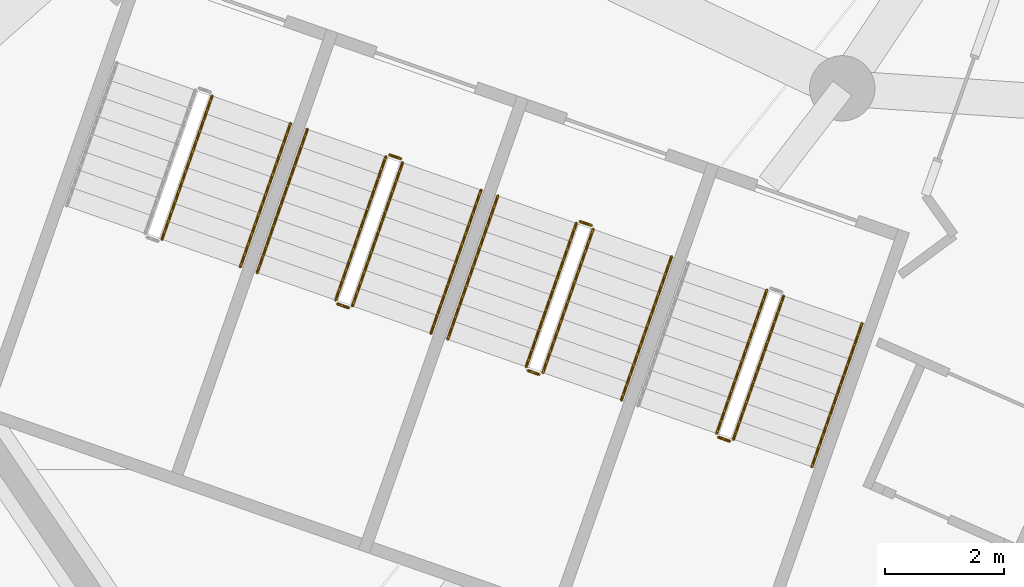
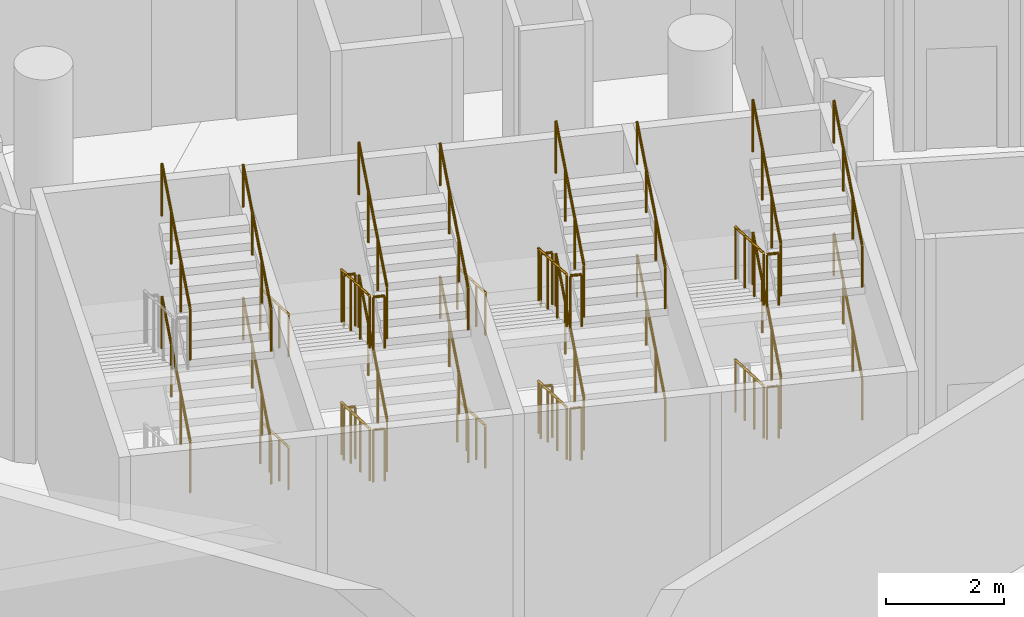
# One storey, part 222 of 271: 36 railings.
"""IFC4 building model written with IfcOpenShell, lengths in metres."""

from ifc_helpers import new_model, si_unit, direction, frame, origin, origin_2d, place, context, subcontext, project, spatial, circle, extrude, material, type_object, element, save


model = new_model("IFC4")

# Units and contexts
model_context = context("Model", 3, precision=1e-05, world=origin(), true_north=direction((0.0, 1.0)))
body_context = subcontext(model_context, "Body", "Model", "MODEL_VIEW")
ifc_project = project(units=[si_unit("LENGTHUNIT", "METRE"), si_unit("AREAUNIT", "SQUARE_METRE"), si_unit("VOLUMEUNIT", "CUBIC_METRE"), si_unit("PLANEANGLEUNIT", "RADIAN"), si_unit("MASSUNIT", "GRAM", prefix="KILO")], contexts=[model_context])

# Site, building, storey
site_placement = place(None, origin())
site = spatial("IfcSite", under=ifc_project, at=site_placement, CompositionType="ELEMENT")
building_placement = place(site_placement, origin())
building = spatial("IfcBuilding", under=site, at=building_placement, Name="Meseta Stadium", CompositionType="ELEMENT")
storey_placement = place(building_placement, frame((0.0, 0.0, 6.5)))
storey = spatial("IfcBuildingStorey", under=building, at=storey_placement, Name="L01", CompositionType="ELEMENT", Elevation=6.5)

# Railings
ifc_material_1 = material(Name="Steel S355", Category="steel")
railing_type_1 = type_object("IfcRailingType", Name="Stair guard 1100", PredefinedType="GUARDRAIL", material=ifc_material_1)
for number, where, name in (
    (1, (-65.98388671875, -92.12353515625, 1.52783203125), "ST85 L01 guard 3"),
    (2, (-65.98388671875, -92.12353515625, 4.27783203125), "ST85 L01 guard 7"),
):
    element("IfcRailing", number, at=place(storey_placement, frame(where)), inside=storey, type_object=railing_type_1, Name=name, PredefinedType="GUARDRAIL", context=body_context, shape_type="SweptSolid", body=[
        extrude(circle(Radius=0.02392578125, at=origin_2d()), frame((0.0, 0.0, 1.076171875), z_axis=(0.298044258026, 0.851788628844, 0.430843071233), x_axis=(-0.943886603116, 0.330269708658, 0.0)), (0.0, 0.0, 1.0), 2.836669921875),
        extrude(circle(Radius=0.02099609375, at=origin_2d()), origin(), (0.0, 0.0, 1.0), 1.052001953125),
        extrude(circle(Radius=0.02099609375, at=origin_2d()), frame((0.28173828125, 0.805419921875, 0.407470703125)), (0.0, 0.0, 1.0), 1.052001953125),
        extrude(circle(Radius=0.02099609375, at=origin_2d()), frame((0.563720703125, 1.61083984375, 0.814697265625)), (0.0, 0.0, 1.0), 1.052001953125),
        extrude(circle(Radius=0.02099609375, at=origin_2d()), frame((0.845458984375, 2.416259765625, 1.22216796875)), (0.0, 0.0, 1.0), 1.052001953125),
    ])
railing_1_placement = place(storey_placement, frame((-62.21240234375, -90.73095703125, 0.15283203125)))
element("IfcRailing", 3, at=railing_1_placement, inside=storey, type_object=railing_type_1, Name="ST86 L01 guard 1", PredefinedType="GUARDRAIL", context=body_context, shape_type="SweptSolid", body=[
    extrude(circle(Radius=0.02392578125, at=origin_2d()), frame((0.0, 0.0, 1.076171875), z_axis=(-0.298022409857, -0.851812247406, 0.430811488231), x_axis=(0.943897004595, -0.330239980492, 0.0)), (0.0, 0.0, 1.0), 2.8369140625),
    extrude(circle(Radius=0.02099609375, at=origin_2d()), origin(), (0.0, 0.0, 1.0), 1.052001953125),
    extrude(circle(Radius=0.02099609375, at=origin_2d()), frame((-0.28173828125, -0.805419921875, 0.407470703125)), (0.0, 0.0, 1.0), 1.052001953125),
    extrude(circle(Radius=0.02099609375, at=origin_2d()), frame((-0.563720703125, -1.611083984375, 0.814697265625)), (0.0, 0.0, 1.0), 1.052001953125),
    extrude(circle(Radius=0.02099609375, at=origin_2d()), frame((-0.845458984375, -2.41650390625, 1.22216796875)), (0.0, 0.0, 1.0), 1.052001953125),
])
railing_2_placement = place(storey_placement, frame((-63.02734375, -93.211181640625, 1.375)))
element("IfcRailing", 4, at=railing_2_placement, inside=storey, type_object=railing_type_1, Name="ST86 L01 guard 2", PredefinedType="GUARDRAIL", context=body_context, shape_type="SweptSolid", body=[
    extrude(circle(Radius=0.02392578125, at=origin_2d()), frame((0.0, 0.0, 1.076171875), z_axis=(0.944200181446, -0.329372156318, 0.0), x_axis=(0.329372156318, 0.944200181446, 0.0)), (0.0, 0.0, 1.0), 0.2001953125),
    extrude(circle(Radius=0.02099609375, at=origin_2d()), origin(), (0.0, 0.0, 1.0), 1.052001953125),
    extrude(circle(Radius=0.02099609375, at=origin_2d()), frame((0.18896484375, -0.06591796875, 0.0)), (0.0, 0.0, 1.0), 1.052001953125),
])
railing_3_placement = place(storey_placement, frame((-62.774658203125, -93.24658203125, 1.52783203125)))
element("IfcRailing", 5, at=railing_3_placement, inside=storey, type_object=railing_type_1, Name="ST86 L01 guard 3", PredefinedType="GUARDRAIL", context=body_context, shape_type="SweptSolid", body=[
    extrude(circle(Radius=0.02392578125, at=origin_2d()), frame((0.0, 0.0, 1.076171875), z_axis=(0.298022409857, 0.851812247406, 0.430811488231), x_axis=(-0.943897004595, 0.330239980492, 0.0)), (0.0, 0.0, 1.0), 2.8369140625),
    extrude(circle(Radius=0.02099609375, at=origin_2d()), origin(), (0.0, 0.0, 1.0), 1.052001953125),
    extrude(circle(Radius=0.02099609375, at=origin_2d()), frame((0.28173828125, 0.805419921875, 0.407470703125)), (0.0, 0.0, 1.0), 1.052001953125),
    extrude(circle(Radius=0.02099609375, at=origin_2d()), frame((0.563720703125, 1.611083984375, 0.814697265625)), (0.0, 0.0, 1.0), 1.052001953125),
    extrude(circle(Radius=0.02099609375, at=origin_2d()), frame((0.845458984375, 2.41650390625, 1.22216796875)), (0.0, 0.0, 1.0), 1.052001953125),
])
railing_4_placement = place(storey_placement, frame((-62.148681640625, -90.700439453125, 2.75)))
element("IfcRailing", 6, at=railing_4_placement, inside=storey, type_object=railing_type_1, Name="ST86 L01 guard 4", PredefinedType="GUARDRAIL", context=body_context, shape_type="SweptSolid", body=[
    extrude(circle(Radius=0.02392578125, at=origin_2d()), frame((0.0, 0.0, 1.076171875), z_axis=(0.944067610699, -0.329751946816, 0.0), x_axis=(0.329751946816, 0.944067610699, 0.0)), (0.0, 0.0, 1.0), 0.199951171875),
    extrude(circle(Radius=0.02099609375, at=origin_2d()), origin(), (0.0, 0.0, 1.0), 1.052001953125),
    extrude(circle(Radius=0.02099609375, at=origin_2d()), frame((0.188720703125, -0.06591796875, 0.0)), (0.0, 0.0, 1.0), 1.052001953125),
])
railing_5_placement = place(storey_placement, frame((-62.21240234375, -90.73095703125, 2.90283203125)))
element("IfcRailing", 7, at=railing_5_placement, inside=storey, type_object=railing_type_1, Name="ST86 L01 guard 5", PredefinedType="GUARDRAIL", context=body_context, shape_type="SweptSolid", body=[
    extrude(circle(Radius=0.02392578125, at=origin_2d()), frame((0.0, 0.0, 1.076171875), z_axis=(-0.298022409857, -0.851812247406, 0.430811488231), x_axis=(0.943897004595, -0.330239980492, 0.0)), (0.0, 0.0, 1.0), 2.8369140625),
    extrude(circle(Radius=0.02099609375, at=origin_2d()), origin(), (0.0, 0.0, 1.0), 1.052001953125),
    extrude(circle(Radius=0.02099609375, at=origin_2d()), frame((-0.28173828125, -0.805419921875, 0.407470703125)), (0.0, 0.0, 1.0), 1.052001953125),
    extrude(circle(Radius=0.02099609375, at=origin_2d()), frame((-0.563720703125, -1.611083984375, 0.814697265625)), (0.0, 0.0, 1.0), 1.052001953125),
    extrude(circle(Radius=0.02099609375, at=origin_2d()), frame((-0.845458984375, -2.41650390625, 1.22216796875)), (0.0, 0.0, 1.0), 1.052001953125),
])
railing_6_placement = place(storey_placement, frame((-63.02734375, -93.211181640625, 4.125)))
element("IfcRailing", 8, at=railing_6_placement, inside=storey, type_object=railing_type_1, Name="ST86 L01 guard 6", PredefinedType="GUARDRAIL", context=body_context, shape_type="SweptSolid", body=[
    extrude(circle(Radius=0.02392578125, at=origin_2d()), frame((0.0, 0.0, 1.076171875), z_axis=(0.944200181446, -0.329372156318, 0.0), x_axis=(0.329372156318, 0.944200181446, 0.0)), (0.0, 0.0, 1.0), 0.2001953125),
    extrude(circle(Radius=0.02099609375, at=origin_2d()), origin(), (0.0, 0.0, 1.0), 1.052001953125),
    extrude(circle(Radius=0.02099609375, at=origin_2d()), frame((0.18896484375, -0.06591796875, 0.0)), (0.0, 0.0, 1.0), 1.052001953125),
])
railing_7_placement = place(storey_placement, frame((-62.774658203125, -93.24658203125, 4.27783203125)))
element("IfcRailing", 9, at=railing_7_placement, inside=storey, type_object=railing_type_1, Name="ST86 L01 guard 7", PredefinedType="GUARDRAIL", context=body_context, shape_type="SweptSolid", body=[
    extrude(circle(Radius=0.02392578125, at=origin_2d()), frame((0.0, 0.0, 1.076171875), z_axis=(0.298022409857, 0.851812247406, 0.430811488231), x_axis=(-0.943897004595, 0.330239980492, 0.0)), (0.0, 0.0, 1.0), 2.8369140625),
    extrude(circle(Radius=0.02099609375, at=origin_2d()), origin(), (0.0, 0.0, 1.0), 1.052001953125),
    extrude(circle(Radius=0.02099609375, at=origin_2d()), frame((0.28173828125, 0.805419921875, 0.407470703125)), (0.0, 0.0, 1.0), 1.052001953125),
    extrude(circle(Radius=0.02099609375, at=origin_2d()), frame((0.563720703125, 1.611083984375, 0.814697265625)), (0.0, 0.0, 1.0), 1.052001953125),
    extrude(circle(Radius=0.02099609375, at=origin_2d()), frame((0.845458984375, 2.41650390625, 1.22216796875)), (0.0, 0.0, 1.0), 1.052001953125),
])
railing_8_placement = place(storey_placement, frame((-62.148681640625, -90.700439453125, 0.0)))
element("IfcRailing", 10, at=railing_8_placement, inside=storey, type_object=railing_type_1, Name="ST86 L01 guard 8", PredefinedType="GUARDRAIL", context=body_context, shape_type="SweptSolid", body=[
    extrude(circle(Radius=0.02392578125, at=origin_2d()), frame((0.0, 0.0, 1.076171875), z_axis=(0.944067610699, -0.329751946816, 0.0), x_axis=(0.329751946816, 0.944067610699, 0.0)), (0.0, 0.0, 1.0), 0.199951171875),
    extrude(circle(Radius=0.02099609375, at=origin_2d()), origin(), (0.0, 0.0, 1.0), 1.052001953125),
    extrude(circle(Radius=0.02099609375, at=origin_2d()), frame((0.188720703125, -0.06591796875, 0.0)), (0.0, 0.0, 1.0), 1.052001953125),
])
railing_9_placement = place(storey_placement, frame((-59.003173828125, -91.85400390625, 0.15283203125)))
element("IfcRailing", 11, at=railing_9_placement, inside=storey, type_object=railing_type_1, Name="ST87 L01 guard 1", PredefinedType="GUARDRAIL", context=body_context, shape_type="SweptSolid", body=[
    extrude(circle(Radius=0.02392578125, at=origin_2d()), frame((0.0, 0.0, 1.076171875), z_axis=(-0.298044258026, -0.851788628844, 0.430843071233), x_axis=(0.943886603116, -0.330269708658, 0.0)), (0.0, 0.0, 1.0), 2.836669921875),
    extrude(circle(Radius=0.02099609375, at=origin_2d()), origin(), (0.0, 0.0, 1.0), 1.052001953125),
    extrude(circle(Radius=0.02099609375, at=origin_2d()), frame((-0.28173828125, -0.805419921875, 0.407470703125)), (0.0, 0.0, 1.0), 1.052001953125),
    extrude(circle(Radius=0.02099609375, at=origin_2d()), frame((-0.563720703125, -1.61083984375, 0.814697265625)), (0.0, 0.0, 1.0), 1.052001953125),
    extrude(circle(Radius=0.02099609375, at=origin_2d()), frame((-0.845458984375, -2.416259765625, 1.22216796875)), (0.0, 0.0, 1.0), 1.052001953125),
])
railing_10_placement = place(storey_placement, frame((-59.818115234375, -94.333984375, 1.375)))
element("IfcRailing", 12, at=railing_10_placement, inside=storey, type_object=railing_type_1, Name="ST87 L01 guard 2", PredefinedType="GUARDRAIL", context=body_context, shape_type="SweptSolid", body=[
    extrude(circle(Radius=0.02392578125, at=origin_2d()), frame((0.0, 0.0, 1.076171875), z_axis=(0.943820328543, -0.330459055601, 0.0), x_axis=(0.330459055601, 0.943820328543, 0.0)), (0.0, 0.0, 1.0), 0.2001953125),
    extrude(circle(Radius=0.02099609375, at=origin_2d()), origin(), (0.0, 0.0, 1.0), 1.052001953125),
    extrude(circle(Radius=0.02099609375, at=origin_2d()), frame((0.18896484375, -0.066162109375, 0.0)), (0.0, 0.0, 1.0), 1.052001953125),
])
railing_11_placement = place(storey_placement, frame((-59.565673828125, -94.369384765625, 1.52783203125)))
element("IfcRailing", 13, at=railing_11_placement, inside=storey, type_object=railing_type_1, Name="ST87 L01 guard 3", PredefinedType="GUARDRAIL", context=body_context, shape_type="SweptSolid", body=[
    extrude(circle(Radius=0.02392578125, at=origin_2d()), frame((0.0, 0.0, 1.076171875), z_axis=(0.298122675128, 0.851766777062, 0.430832018387), x_axis=(-0.943856869551, 0.330354672742, 0.0)), (0.0, 0.0, 1.0), 2.836669921875),
    extrude(circle(Radius=0.02099609375, at=origin_2d()), origin(), (0.0, 0.0, 1.0), 1.052001953125),
    extrude(circle(Radius=0.02099609375, at=origin_2d()), frame((0.281982421875, 0.805419921875, 0.407470703125)), (0.0, 0.0, 1.0), 1.052001953125),
    extrude(circle(Radius=0.02099609375, at=origin_2d()), frame((0.563720703125, 1.61083984375, 0.814697265625)), (0.0, 0.0, 1.0), 1.052001953125),
    extrude(circle(Radius=0.02099609375, at=origin_2d()), frame((0.845703125, 2.416259765625, 1.22216796875)), (0.0, 0.0, 1.0), 1.052001953125),
])
railing_12_placement = place(storey_placement, frame((-58.939453125, -91.8232421875, 2.75)))
element("IfcRailing", 14, at=railing_12_placement, inside=storey, type_object=railing_type_1, Name="ST87 L01 guard 4", PredefinedType="GUARDRAIL", context=body_context, shape_type="SweptSolid", body=[
    extrude(circle(Radius=0.02392578125, at=origin_2d()), frame((0.0, 0.0, 1.076171875), z_axis=(0.943686935281, -0.330839792317, 0.0), x_axis=(0.330839792317, 0.943686935281, 0.0)), (0.0, 0.0, 1.0), 0.199951171875),
    extrude(circle(Radius=0.02099609375, at=origin_2d()), origin(), (0.0, 0.0, 1.0), 1.052001953125),
    extrude(circle(Radius=0.02099609375, at=origin_2d()), frame((0.188720703125, -0.066162109375, 0.0)), (0.0, 0.0, 1.0), 1.052001953125),
])
railing_13_placement = place(storey_placement, frame((-59.003173828125, -91.85400390625, 2.90283203125)))
element("IfcRailing", 15, at=railing_13_placement, inside=storey, type_object=railing_type_1, Name="ST87 L01 guard 5", PredefinedType="GUARDRAIL", context=body_context, shape_type="SweptSolid", body=[
    extrude(circle(Radius=0.02392578125, at=origin_2d()), frame((0.0, 0.0, 1.076171875), z_axis=(-0.298044258026, -0.851788628844, 0.430843071233), x_axis=(0.943886603116, -0.330269708658, 0.0)), (0.0, 0.0, 1.0), 2.836669921875),
    extrude(circle(Radius=0.02099609375, at=origin_2d()), origin(), (0.0, 0.0, 1.0), 1.052001953125),
    extrude(circle(Radius=0.02099609375, at=origin_2d()), frame((-0.28173828125, -0.805419921875, 0.407470703125)), (0.0, 0.0, 1.0), 1.052001953125),
    extrude(circle(Radius=0.02099609375, at=origin_2d()), frame((-0.563720703125, -1.61083984375, 0.814697265625)), (0.0, 0.0, 1.0), 1.052001953125),
    extrude(circle(Radius=0.02099609375, at=origin_2d()), frame((-0.845458984375, -2.416259765625, 1.22216796875)), (0.0, 0.0, 1.0), 1.052001953125),
])
railing_14_placement = place(storey_placement, frame((-59.818115234375, -94.333984375, 4.125)))
element("IfcRailing", 16, at=railing_14_placement, inside=storey, type_object=railing_type_1, Name="ST87 L01 guard 6", PredefinedType="GUARDRAIL", context=body_context, shape_type="SweptSolid", body=[
    extrude(circle(Radius=0.02392578125, at=origin_2d()), frame((0.0, 0.0, 1.076171875), z_axis=(0.943820328543, -0.330459055601, 0.0), x_axis=(0.330459055601, 0.943820328543, 0.0)), (0.0, 0.0, 1.0), 0.2001953125),
    extrude(circle(Radius=0.02099609375, at=origin_2d()), origin(), (0.0, 0.0, 1.0), 1.052001953125),
    extrude(circle(Radius=0.02099609375, at=origin_2d()), frame((0.18896484375, -0.066162109375, 0.0)), (0.0, 0.0, 1.0), 1.052001953125),
])
railing_15_placement = place(storey_placement, frame((-59.565673828125, -94.369384765625, 4.27783203125)))
element("IfcRailing", 17, at=railing_15_placement, inside=storey, type_object=railing_type_1, Name="ST87 L01 guard 7", PredefinedType="GUARDRAIL", context=body_context, shape_type="SweptSolid", body=[
    extrude(circle(Radius=0.02392578125, at=origin_2d()), frame((0.0, 0.0, 1.076171875), z_axis=(0.298122675128, 0.851766777062, 0.430832018387), x_axis=(-0.943856869551, 0.330354672742, 0.0)), (0.0, 0.0, 1.0), 2.836669921875),
    extrude(circle(Radius=0.02099609375, at=origin_2d()), origin(), (0.0, 0.0, 1.0), 1.052001953125),
    extrude(circle(Radius=0.02099609375, at=origin_2d()), frame((0.281982421875, 0.805419921875, 0.407470703125)), (0.0, 0.0, 1.0), 1.052001953125),
    extrude(circle(Radius=0.02099609375, at=origin_2d()), frame((0.563720703125, 1.61083984375, 0.814697265625)), (0.0, 0.0, 1.0), 1.052001953125),
    extrude(circle(Radius=0.02099609375, at=origin_2d()), frame((0.845703125, 2.416259765625, 1.22216796875)), (0.0, 0.0, 1.0), 1.052001953125),
])
railing_16_placement = place(storey_placement, frame((-58.939453125, -91.8232421875, 0.0)))
element("IfcRailing", 18, at=railing_16_placement, inside=storey, type_object=railing_type_1, Name="ST87 L01 guard 8", PredefinedType="GUARDRAIL", context=body_context, shape_type="SweptSolid", body=[
    extrude(circle(Radius=0.02392578125, at=origin_2d()), frame((0.0, 0.0, 1.076171875), z_axis=(0.943686935281, -0.330839792317, 0.0), x_axis=(0.330839792317, 0.943686935281, 0.0)), (0.0, 0.0, 1.0), 0.199951171875),
    extrude(circle(Radius=0.02099609375, at=origin_2d()), origin(), (0.0, 0.0, 1.0), 1.052001953125),
    extrude(circle(Radius=0.02099609375, at=origin_2d()), frame((0.188720703125, -0.066162109375, 0.0)), (0.0, 0.0, 1.0), 1.052001953125),
])
railing_17_placement = place(storey_placement, frame((-55.7939453125, -92.97705078125, 0.15283203125)))
element("IfcRailing", 19, at=railing_17_placement, inside=storey, type_object=railing_type_1, Name="ST88 L01 guard 1", PredefinedType="GUARDRAIL", context=body_context, shape_type="SweptSolid", body=[
    extrude(circle(Radius=0.02392578125, at=origin_2d()), frame((0.0, 0.0, 1.076171875), z_axis=(-0.298044258026, -0.851788628844, 0.430843071233), x_axis=(0.943886603116, -0.330269708658, 0.0)), (0.0, 0.0, 1.0), 2.836669921875),
    extrude(circle(Radius=0.02099609375, at=origin_2d()), origin(), (0.0, 0.0, 1.0), 1.052001953125),
    extrude(circle(Radius=0.02099609375, at=origin_2d()), frame((-0.28173828125, -0.805419921875, 0.407470703125)), (0.0, 0.0, 1.0), 1.052001953125),
    extrude(circle(Radius=0.02099609375, at=origin_2d()), frame((-0.563720703125, -1.61083984375, 0.814697265625)), (0.0, 0.0, 1.0), 1.052001953125),
    extrude(circle(Radius=0.02099609375, at=origin_2d()), frame((-0.845458984375, -2.416259765625, 1.22216796875)), (0.0, 0.0, 1.0), 1.052001953125),
])
railing_18_placement = place(storey_placement, frame((-56.60888671875, -95.45703125, 1.375)))
element("IfcRailing", 20, at=railing_18_placement, inside=storey, type_object=railing_type_1, Name="ST88 L01 guard 2", PredefinedType="GUARDRAIL", context=body_context, shape_type="SweptSolid", body=[
    extrude(circle(Radius=0.02392578125, at=origin_2d()), frame((0.0, 0.0, 1.076171875), z_axis=(0.943686935281, -0.330839792317, 0.0), x_axis=(0.330839792317, 0.943686935281, 0.0)), (0.0, 0.0, 1.0), 0.199951171875),
    extrude(circle(Radius=0.02099609375, at=origin_2d()), origin(), (0.0, 0.0, 1.0), 1.052001953125),
    extrude(circle(Radius=0.02099609375, at=origin_2d()), frame((0.188720703125, -0.066162109375, 0.0)), (0.0, 0.0, 1.0), 1.052001953125),
])
railing_19_placement = place(storey_placement, frame((-56.3564453125, -95.492431640625, 1.52783203125)))
element("IfcRailing", 21, at=railing_19_placement, inside=storey, type_object=railing_type_1, Name="ST88 L01 guard 3", PredefinedType="GUARDRAIL", context=body_context, shape_type="SweptSolid", body=[
    extrude(circle(Radius=0.02392578125, at=origin_2d()), frame((0.0, 0.0, 1.076171875), z_axis=(0.298122675128, 0.851766777062, 0.430832018387), x_axis=(-0.943856869551, 0.330354672742, 0.0)), (0.0, 0.0, 1.0), 2.836669921875),
    extrude(circle(Radius=0.02099609375, at=origin_2d()), origin(), (0.0, 0.0, 1.0), 1.052001953125),
    extrude(circle(Radius=0.02099609375, at=origin_2d()), frame((0.281982421875, 0.805419921875, 0.407470703125)), (0.0, 0.0, 1.0), 1.052001953125),
    extrude(circle(Radius=0.02099609375, at=origin_2d()), frame((0.563720703125, 1.61083984375, 0.814697265625)), (0.0, 0.0, 1.0), 1.052001953125),
    extrude(circle(Radius=0.02099609375, at=origin_2d()), frame((0.845703125, 2.416259765625, 1.22216796875)), (0.0, 0.0, 1.0), 1.052001953125),
])
railing_20_placement = place(storey_placement, frame((-55.7939453125, -92.97705078125, 2.90283203125)))
element("IfcRailing", 22, at=railing_20_placement, inside=storey, type_object=railing_type_1, Name="ST88 L01 guard 5", PredefinedType="GUARDRAIL", context=body_context, shape_type="SweptSolid", body=[
    extrude(circle(Radius=0.02392578125, at=origin_2d()), frame((0.0, 0.0, 1.076171875), z_axis=(-0.298044258026, -0.851788628844, 0.430843071233), x_axis=(0.943886603116, -0.330269708658, 0.0)), (0.0, 0.0, 1.0), 2.836669921875),
    extrude(circle(Radius=0.02099609375, at=origin_2d()), origin(), (0.0, 0.0, 1.0), 1.052001953125),
    extrude(circle(Radius=0.02099609375, at=origin_2d()), frame((-0.28173828125, -0.805419921875, 0.407470703125)), (0.0, 0.0, 1.0), 1.052001953125),
    extrude(circle(Radius=0.02099609375, at=origin_2d()), frame((-0.563720703125, -1.61083984375, 0.814697265625)), (0.0, 0.0, 1.0), 1.052001953125),
    extrude(circle(Radius=0.02099609375, at=origin_2d()), frame((-0.845458984375, -2.416259765625, 1.22216796875)), (0.0, 0.0, 1.0), 1.052001953125),
])
railing_21_placement = place(storey_placement, frame((-56.60888671875, -95.45703125, 4.125)))
element("IfcRailing", 23, at=railing_21_placement, inside=storey, type_object=railing_type_1, Name="ST88 L01 guard 6", PredefinedType="GUARDRAIL", context=body_context, shape_type="SweptSolid", body=[
    extrude(circle(Radius=0.02392578125, at=origin_2d()), frame((0.0, 0.0, 1.076171875), z_axis=(0.943686935281, -0.330839792317, 0.0), x_axis=(0.330839792317, 0.943686935281, 0.0)), (0.0, 0.0, 1.0), 0.199951171875),
    extrude(circle(Radius=0.02099609375, at=origin_2d()), origin(), (0.0, 0.0, 1.0), 1.052001953125),
    extrude(circle(Radius=0.02099609375, at=origin_2d()), frame((0.188720703125, -0.066162109375, 0.0)), (0.0, 0.0, 1.0), 1.052001953125),
])
railing_22_placement = place(storey_placement, frame((-56.3564453125, -95.492431640625, 4.27783203125)))
element("IfcRailing", 24, at=railing_22_placement, inside=storey, type_object=railing_type_1, Name="ST88 L01 guard 7", PredefinedType="GUARDRAIL", context=body_context, shape_type="SweptSolid", body=[
    extrude(circle(Radius=0.02392578125, at=origin_2d()), frame((0.0, 0.0, 1.076171875), z_axis=(0.298122675128, 0.851766777062, 0.430832018387), x_axis=(-0.943856869551, 0.330354672742, 0.0)), (0.0, 0.0, 1.0), 2.836669921875),
    extrude(circle(Radius=0.02099609375, at=origin_2d()), origin(), (0.0, 0.0, 1.0), 1.052001953125),
    extrude(circle(Radius=0.02099609375, at=origin_2d()), frame((0.281982421875, 0.805419921875, 0.407470703125)), (0.0, 0.0, 1.0), 1.052001953125),
    extrude(circle(Radius=0.02099609375, at=origin_2d()), frame((0.563720703125, 1.61083984375, 0.814697265625)), (0.0, 0.0, 1.0), 1.052001953125),
    extrude(circle(Radius=0.02099609375, at=origin_2d()), frame((0.845703125, 2.416259765625, 1.22216796875)), (0.0, 0.0, 1.0), 1.052001953125),
])
ifc_material_2 = material(Name="Steel S355", Category="steel")
railing_type_2 = type_object("IfcRailingType", Name="Stair handrail 900", PredefinedType="HANDRAIL", material=ifc_material_2)
for number, where, name in (
    (25, (-64.66259765625, -92.5859375, 1.52783203125), "ST85 L01 handrail 2"),
    (26, (-64.66259765625, -92.5859375, 4.27783203125), "ST85 L01 handrail 4"),
):
    element("IfcRailing", number, at=place(storey_placement, frame(where)), inside=storey, type_object=railing_type_2, Name=name, PredefinedType="HANDRAIL", context=body_context, shape_type="SweptSolid", body=[
        extrude(circle(Radius=0.02392578125, at=origin_2d()), frame((0.0, 0.0, 0.8759765625), z_axis=(0.298122675128, 0.851766777062, 0.430832018387), x_axis=(-0.943856869551, 0.330354672742, 0.0)), (0.0, 0.0, 1.0), 2.836669921875),
        extrude(circle(Radius=0.02099609375, at=origin_2d()), origin(), (0.0, 0.0, 1.0), 0.851806640625),
        extrude(circle(Radius=0.02099609375, at=origin_2d()), frame((0.281982421875, 0.805419921875, 0.407470703125)), (0.0, 0.0, 1.0), 0.851806640625),
        extrude(circle(Radius=0.02099609375, at=origin_2d()), frame((0.563720703125, 1.61083984375, 0.814697265625)), (0.0, 0.0, 1.0), 0.851806640625),
        extrude(circle(Radius=0.02099609375, at=origin_2d()), frame((0.845703125, 2.416259765625, 1.22216796875)), (0.0, 0.0, 1.0), 0.851806640625),
    ])
railing_23_placement = place(storey_placement, frame((-63.533935546875, -90.268798828125, 0.15283203125)))
element("IfcRailing", 27, at=railing_23_placement, inside=storey, type_object=railing_type_2, Name="ST86 L01 handrail 1", PredefinedType="HANDRAIL", context=body_context, shape_type="SweptSolid", body=[
    extrude(circle(Radius=0.02392578125, at=origin_2d()), frame((0.0, 0.0, 0.8759765625), z_axis=(-0.298044258026, -0.851788628844, 0.430843071233), x_axis=(0.943886603116, -0.330269708658, 0.0)), (0.0, 0.0, 1.0), 2.836669921875),
    extrude(circle(Radius=0.02099609375, at=origin_2d()), origin(), (0.0, 0.0, 1.0), 0.851806640625),
    extrude(circle(Radius=0.02099609375, at=origin_2d()), frame((-0.28173828125, -0.805419921875, 0.407470703125)), (0.0, 0.0, 1.0), 0.851806640625),
    extrude(circle(Radius=0.02099609375, at=origin_2d()), frame((-0.563720703125, -1.61083984375, 0.814697265625)), (0.0, 0.0, 1.0), 0.851806640625),
    extrude(circle(Radius=0.02099609375, at=origin_2d()), frame((-0.845458984375, -2.416259765625, 1.22216796875)), (0.0, 0.0, 1.0), 0.851806640625),
])
railing_24_placement = place(storey_placement, frame((-61.453369140625, -93.708984375, 1.52783203125)))
element("IfcRailing", 28, at=railing_24_placement, inside=storey, type_object=railing_type_2, Name="ST86 L01 handrail 2", PredefinedType="HANDRAIL", context=body_context, shape_type="SweptSolid", body=[
    extrude(circle(Radius=0.02392578125, at=origin_2d()), frame((0.0, 0.0, 0.8759765625), z_axis=(0.298022409857, 0.851812247406, 0.430811488231), x_axis=(-0.943897004595, 0.330239980492, 0.0)), (0.0, 0.0, 1.0), 2.8369140625),
    extrude(circle(Radius=0.02099609375, at=origin_2d()), origin(), (0.0, 0.0, 1.0), 0.851806640625),
    extrude(circle(Radius=0.02099609375, at=origin_2d()), frame((0.28173828125, 0.805419921875, 0.407470703125)), (0.0, 0.0, 1.0), 0.851806640625),
    extrude(circle(Radius=0.02099609375, at=origin_2d()), frame((0.563720703125, 1.611083984375, 0.814697265625)), (0.0, 0.0, 1.0), 0.851806640625),
    extrude(circle(Radius=0.02099609375, at=origin_2d()), frame((0.845458984375, 2.41650390625, 1.22216796875)), (0.0, 0.0, 1.0), 0.851806640625),
])
railing_25_placement = place(storey_placement, frame((-63.533935546875, -90.268798828125, 2.90283203125)))
element("IfcRailing", 29, at=railing_25_placement, inside=storey, type_object=railing_type_2, Name="ST86 L01 handrail 3", PredefinedType="HANDRAIL", context=body_context, shape_type="SweptSolid", body=[
    extrude(circle(Radius=0.02392578125, at=origin_2d()), frame((0.0, 0.0, 0.8759765625), z_axis=(-0.298044258026, -0.851788628844, 0.430843071233), x_axis=(0.943886603116, -0.330269708658, 0.0)), (0.0, 0.0, 1.0), 2.836669921875),
    extrude(circle(Radius=0.02099609375, at=origin_2d()), origin(), (0.0, 0.0, 1.0), 0.851806640625),
    extrude(circle(Radius=0.02099609375, at=origin_2d()), frame((-0.28173828125, -0.805419921875, 0.407470703125)), (0.0, 0.0, 1.0), 0.851806640625),
    extrude(circle(Radius=0.02099609375, at=origin_2d()), frame((-0.563720703125, -1.61083984375, 0.814697265625)), (0.0, 0.0, 1.0), 0.851806640625),
    extrude(circle(Radius=0.02099609375, at=origin_2d()), frame((-0.845458984375, -2.416259765625, 1.22216796875)), (0.0, 0.0, 1.0), 0.851806640625),
])
railing_26_placement = place(storey_placement, frame((-61.453369140625, -93.708984375, 4.27783203125)))
element("IfcRailing", 30, at=railing_26_placement, inside=storey, type_object=railing_type_2, Name="ST86 L01 handrail 4", PredefinedType="HANDRAIL", context=body_context, shape_type="SweptSolid", body=[
    extrude(circle(Radius=0.02392578125, at=origin_2d()), frame((0.0, 0.0, 0.8759765625), z_axis=(0.298022409857, 0.851812247406, 0.430811488231), x_axis=(-0.943897004595, 0.330239980492, 0.0)), (0.0, 0.0, 1.0), 2.8369140625),
    extrude(circle(Radius=0.02099609375, at=origin_2d()), origin(), (0.0, 0.0, 1.0), 0.851806640625),
    extrude(circle(Radius=0.02099609375, at=origin_2d()), frame((0.28173828125, 0.805419921875, 0.407470703125)), (0.0, 0.0, 1.0), 0.851806640625),
    extrude(circle(Radius=0.02099609375, at=origin_2d()), frame((0.563720703125, 1.611083984375, 0.814697265625)), (0.0, 0.0, 1.0), 0.851806640625),
    extrude(circle(Radius=0.02099609375, at=origin_2d()), frame((0.845458984375, 2.41650390625, 1.22216796875)), (0.0, 0.0, 1.0), 0.851806640625),
])
railing_27_placement = place(storey_placement, frame((-60.32470703125, -91.3916015625, 0.15283203125)))
element("IfcRailing", 31, at=railing_27_placement, inside=storey, type_object=railing_type_2, Name="ST87 L01 handrail 1", PredefinedType="HANDRAIL", context=body_context, shape_type="SweptSolid", body=[
    extrude(circle(Radius=0.02392578125, at=origin_2d()), frame((0.0, 0.0, 0.8759765625), z_axis=(-0.298044258026, -0.851788628844, 0.430843071233), x_axis=(0.943886603116, -0.330269708658, 0.0)), (0.0, 0.0, 1.0), 2.836669921875),
    extrude(circle(Radius=0.02099609375, at=origin_2d()), origin(), (0.0, 0.0, 1.0), 0.851806640625),
    extrude(circle(Radius=0.02099609375, at=origin_2d()), frame((-0.28173828125, -0.805419921875, 0.407470703125)), (0.0, 0.0, 1.0), 0.851806640625),
    extrude(circle(Radius=0.02099609375, at=origin_2d()), frame((-0.563720703125, -1.61083984375, 0.814697265625)), (0.0, 0.0, 1.0), 0.851806640625),
    extrude(circle(Radius=0.02099609375, at=origin_2d()), frame((-0.845458984375, -2.416259765625, 1.22216796875)), (0.0, 0.0, 1.0), 0.851806640625),
])
railing_28_placement = place(storey_placement, frame((-58.244140625, -94.831787109375, 1.52783203125)))
element("IfcRailing", 32, at=railing_28_placement, inside=storey, type_object=railing_type_2, Name="ST87 L01 handrail 2", PredefinedType="HANDRAIL", context=body_context, shape_type="SweptSolid", body=[
    extrude(circle(Radius=0.02392578125, at=origin_2d()), frame((0.0, 0.0, 0.8759765625), z_axis=(0.298044258026, 0.851788628844, 0.430843071233), x_axis=(-0.943886603116, 0.330269708658, 0.0)), (0.0, 0.0, 1.0), 2.836669921875),
    extrude(circle(Radius=0.02099609375, at=origin_2d()), origin(), (0.0, 0.0, 1.0), 0.851806640625),
    extrude(circle(Radius=0.02099609375, at=origin_2d()), frame((0.28173828125, 0.805419921875, 0.407470703125)), (0.0, 0.0, 1.0), 0.851806640625),
    extrude(circle(Radius=0.02099609375, at=origin_2d()), frame((0.563720703125, 1.61083984375, 0.814697265625)), (0.0, 0.0, 1.0), 0.851806640625),
    extrude(circle(Radius=0.02099609375, at=origin_2d()), frame((0.845458984375, 2.416259765625, 1.22216796875)), (0.0, 0.0, 1.0), 0.851806640625),
])
railing_29_placement = place(storey_placement, frame((-60.32470703125, -91.3916015625, 2.90283203125)))
element("IfcRailing", 33, at=railing_29_placement, inside=storey, type_object=railing_type_2, Name="ST87 L01 handrail 3", PredefinedType="HANDRAIL", context=body_context, shape_type="SweptSolid", body=[
    extrude(circle(Radius=0.02392578125, at=origin_2d()), frame((0.0, 0.0, 0.8759765625), z_axis=(-0.298044258026, -0.851788628844, 0.430843071233), x_axis=(0.943886603116, -0.330269708658, 0.0)), (0.0, 0.0, 1.0), 2.836669921875),
    extrude(circle(Radius=0.02099609375, at=origin_2d()), origin(), (0.0, 0.0, 1.0), 0.851806640625),
    extrude(circle(Radius=0.02099609375, at=origin_2d()), frame((-0.28173828125, -0.805419921875, 0.407470703125)), (0.0, 0.0, 1.0), 0.851806640625),
    extrude(circle(Radius=0.02099609375, at=origin_2d()), frame((-0.563720703125, -1.61083984375, 0.814697265625)), (0.0, 0.0, 1.0), 0.851806640625),
    extrude(circle(Radius=0.02099609375, at=origin_2d()), frame((-0.845458984375, -2.416259765625, 1.22216796875)), (0.0, 0.0, 1.0), 0.851806640625),
])
railing_30_placement = place(storey_placement, frame((-58.244140625, -94.831787109375, 4.27783203125)))
element("IfcRailing", 34, at=railing_30_placement, inside=storey, type_object=railing_type_2, Name="ST87 L01 handrail 4", PredefinedType="HANDRAIL", context=body_context, shape_type="SweptSolid", body=[
    extrude(circle(Radius=0.02392578125, at=origin_2d()), frame((0.0, 0.0, 0.8759765625), z_axis=(0.298044258026, 0.851788628844, 0.430843071233), x_axis=(-0.943886603116, 0.330269708658, 0.0)), (0.0, 0.0, 1.0), 2.836669921875),
    extrude(circle(Radius=0.02099609375, at=origin_2d()), origin(), (0.0, 0.0, 1.0), 0.851806640625),
    extrude(circle(Radius=0.02099609375, at=origin_2d()), frame((0.28173828125, 0.805419921875, 0.407470703125)), (0.0, 0.0, 1.0), 0.851806640625),
    extrude(circle(Radius=0.02099609375, at=origin_2d()), frame((0.563720703125, 1.61083984375, 0.814697265625)), (0.0, 0.0, 1.0), 0.851806640625),
    extrude(circle(Radius=0.02099609375, at=origin_2d()), frame((0.845458984375, 2.416259765625, 1.22216796875)), (0.0, 0.0, 1.0), 0.851806640625),
])
for number, where, name in (
    (35, (-55.034912109375, -95.954833984375, 1.52783203125), "ST88 L01 handrail 2"),
    (36, (-55.034912109375, -95.954833984375, 4.27783203125), "ST88 L01 handrail 4"),
):
    element("IfcRailing", number, at=place(storey_placement, frame(where)), inside=storey, type_object=railing_type_2, Name=name, PredefinedType="HANDRAIL", context=body_context, shape_type="SweptSolid", body=[
        extrude(circle(Radius=0.02392578125, at=origin_2d()), frame((0.0, 0.0, 0.8759765625), z_axis=(0.298022409857, 0.851812247406, 0.430811488231), x_axis=(-0.943897004595, 0.330239980492, 0.0)), (0.0, 0.0, 1.0), 2.8369140625),
        extrude(circle(Radius=0.02099609375, at=origin_2d()), origin(), (0.0, 0.0, 1.0), 0.851806640625),
        extrude(circle(Radius=0.02099609375, at=origin_2d()), frame((0.28173828125, 0.805419921875, 0.407470703125)), (0.0, 0.0, 1.0), 0.851806640625),
        extrude(circle(Radius=0.02099609375, at=origin_2d()), frame((0.563720703125, 1.611083984375, 0.814697265625)), (0.0, 0.0, 1.0), 0.851806640625),
        extrude(circle(Radius=0.02099609375, at=origin_2d()), frame((0.845458984375, 2.41650390625, 1.22216796875)), (0.0, 0.0, 1.0), 0.851806640625),
    ])

save(model, "model.ifc")
